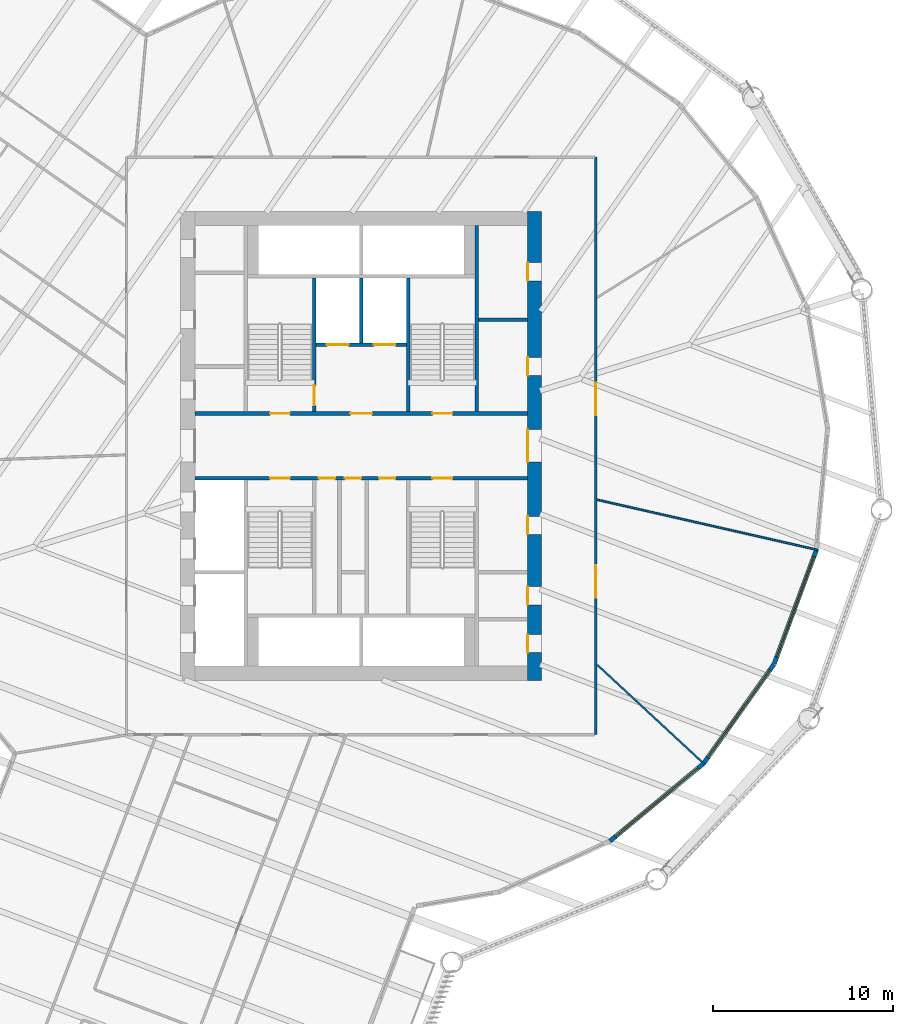
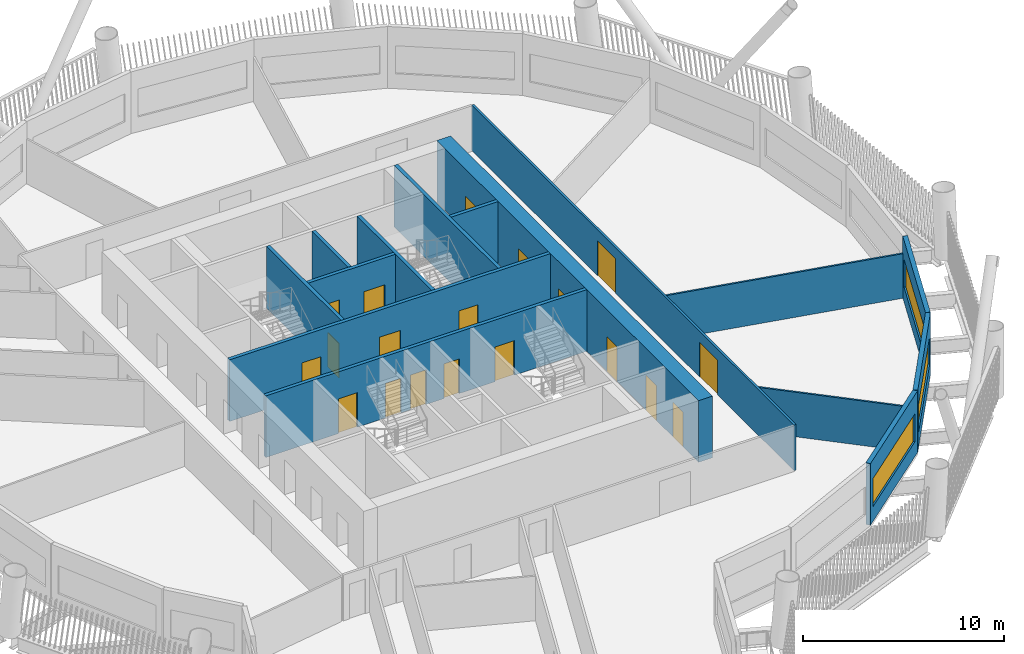
# One storey, part 5 of 23: 19 doors, 15 walls, 3 windows, 22 openings.
"""IFC4 building model written with IfcOpenShell, lengths in metres."""

from ifc_helpers import new_model, si_unit, direction, frame, frame_2d, origin, place, context, subcontext, project, spatial, rectangle, extrude, material, layer, layer_set, type_object, element, fill, save


model = new_model("IFC4")

# Units and contexts
model_context = context("Model", 3, precision=1e-05, world=origin(), true_north=direction((0.0, 1.0)))
body_context = subcontext(model_context, "Body", "Model", "MODEL_VIEW")
ifc_project = project(units=[si_unit("LENGTHUNIT", "METRE"), si_unit("AREAUNIT", "SQUARE_METRE"), si_unit("VOLUMEUNIT", "CUBIC_METRE"), si_unit("PLANEANGLEUNIT", "RADIAN"), si_unit("MASSUNIT", "GRAM", prefix="KILO")], contexts=[model_context])

# Site, building, storey
site_placement = place(None, origin())
site = spatial("IfcSite", under=ifc_project, at=site_placement, CompositionType="ELEMENT")
building_placement = place(site_placement, origin())
building = spatial("IfcBuilding", under=site, at=building_placement, Name="Tarsis Ring Headquarters", CompositionType="ELEMENT")
storey_placement = place(building_placement, frame((0.0, 0.0, 131.800048828125)))
storey = spatial("IfcBuildingStorey", under=building, at=storey_placement, Name="L30", CompositionType="ELEMENT", Elevation=131.800048828125)

# Wall
ifc_material_1 = material(Name="Blockwork", Category="masonry")
ifc_layer_1 = layer(ifc_material_1, 0.199951171875)
ifc_layer_set_1 = layer_set([ifc_layer_1], Name="Core blockwork wall 200")
wall_type_1 = type_object("IfcWallType", Name="Core blockwork wall 200", PredefinedType="PARTITIONING", material=ifc_layer_set_1)
wall_1_placement = place(storey_placement, frame((6.5, 7.0, 0.0), z_axis=(0.0, 0.0, 1.0), x_axis=(1.0, 0.0, 0.0)))
element("IfcWall", 1, at=wall_1_placement, inside=storey, type_object=wall_type_1, Name="Core partition ED6", PredefinedType="PARTITIONING", context=body_context, shape_type="SweptSolid", body=[
    extrude(rectangle(XDim=2.699951171875, YDim=0.199951171875, at=frame_2d((1.35009765625, 0.0))), origin(), (0.0, 0.0, 1.0), 3.739990234375),
])

# Wall, openings, doors
ifc_material_2 = material(Name="Concrete C60/75", Category="concrete")
ifc_layer_2 = layer(ifc_material_2, 0.800048828125)
ifc_layer_set_2 = layer_set([ifc_layer_2], Name="Core wall 800 C60/75")
wall_type_2 = type_object("IfcWallType", Name="Core wall 800 C60/75", PredefinedType="SHEAR", material=ifc_layer_set_2)
wall_2_placement = place(storey_placement, frame((9.60009765625, -13.0, 0.0), z_axis=(0.0, 0.0, 1.0), x_axis=(0.0, 1.0, 0.0)))
wall_2 = element("IfcWall", 2, at=wall_2_placement, inside=storey, type_object=wall_type_2, Name="Core wall OE", PredefinedType="SHEAR", context=body_context, shape_type="SweptSolid", body=[
    extrude(rectangle(XDim=26.0, YDim=0.800048828125, at=frame_2d((13.0, 0.0))), origin(), (0.0, 0.0, 1.0), 3.739990234375),
])
opening_1_placement = place(wall_2_placement, frame((1.550048828125, 0.0, 0.0)))
opening_1 = element("IfcOpeningElement", 3, at=opening_1_placement, cuts=wall_2, Name="Opening L30-C09", PredefinedType="OPENING", context=body_context, shape_type="SweptSolid", body=[
    extrude(rectangle(XDim=1.0, YDim=2.10009765625, at=frame_2d((0.5, 1.050048828125))), frame((0.0, 0.409912109375, 0.0), z_axis=(0.0, -1.0, 0.0), x_axis=(1.0, 0.0, 0.0)), (0.0, 0.0, 1.0), 0.820068359375),
])
opening_2_placement = place(wall_2_placement, frame((4.199951171875, 0.0, 0.0)))
opening_2 = element("IfcOpeningElement", 4, at=opening_2_placement, cuts=wall_2, Name="Opening L30-C10", PredefinedType="OPENING", context=body_context, shape_type="SweptSolid", body=[
    extrude(rectangle(XDim=1.0, YDim=2.10009765625, at=frame_2d((0.5, 1.050048828125))), frame((0.0, 0.409912109375, 0.0), z_axis=(0.0, -1.0, 0.0), x_axis=(1.0, 0.0, 0.0)), (0.0, 0.0, 1.0), 0.820068359375),
])
opening_3_placement = place(wall_2_placement, frame((8.10009765625, 0.0, 0.0)))
opening_3 = element("IfcOpeningElement", 5, at=opening_3_placement, cuts=wall_2, Name="Opening L30-C11", PredefinedType="OPENING", context=body_context, shape_type="SweptSolid", body=[
    extrude(rectangle(XDim=1.0, YDim=2.10009765625, at=frame_2d((0.5, 1.050048828125))), frame((0.0, 0.409912109375, 0.0), z_axis=(0.0, -1.0, 0.0), x_axis=(1.0, 0.0, 0.0)), (0.0, 0.0, 1.0), 0.820068359375),
])
opening_4_placement = place(wall_2_placement, frame((12.10009765625, 0.0, 0.0)))
opening_4 = element("IfcOpeningElement", 6, at=opening_4_placement, cuts=wall_2, Name="Opening L30-C12", PredefinedType="OPENING", context=body_context, shape_type="SweptSolid", body=[
    extrude(rectangle(XDim=1.800048828125, YDim=2.10009765625, at=frame_2d((0.89990234375, 1.050048828125))), frame((0.0, 0.409912109375, 0.0), z_axis=(0.0, -1.0, 0.0), x_axis=(1.0, 0.0, 0.0)), (0.0, 0.0, 1.0), 0.820068359375),
])
opening_5_placement = place(wall_2_placement, frame((16.89990234375, 0.0, 0.0)))
opening_5 = element("IfcOpeningElement", 7, at=opening_5_placement, cuts=wall_2, Name="Opening L30-C13", PredefinedType="OPENING", context=body_context, shape_type="SweptSolid", body=[
    extrude(rectangle(XDim=1.0, YDim=2.10009765625, at=frame_2d((0.5, 1.050048828125))), frame((0.0, 0.409912109375, 0.0), z_axis=(0.0, -1.0, 0.0), x_axis=(1.0, 0.0, 0.0)), (0.0, 0.0, 1.0), 0.820068359375),
])
opening_6_placement = place(wall_2_placement, frame((22.14990234375, 0.0, 0.0)))
opening_6 = element("IfcOpeningElement", 8, at=opening_6_placement, cuts=wall_2, Name="Opening L30-C14", PredefinedType="OPENING", context=body_context, shape_type="SweptSolid", body=[
    extrude(rectangle(XDim=1.0, YDim=2.10009765625, at=frame_2d((0.5, 1.050048828125))), frame((0.0, 0.409912109375, 0.0), z_axis=(0.0, -1.0, 0.0), x_axis=(1.0, 0.0, 0.0)), (0.0, 0.0, 1.0), 0.820068359375),
])
ifc_material_3 = material(Name="Steel S355", Category="steel")
door_type_1 = type_object("IfcDoorType", Name="Core entry door 1800x2100", OperationType="DOUBLE_DOOR_SINGLE_SWING", PredefinedType="DOOR", material=ifc_material_3)
door_1_placement = place(opening_4_placement, origin())
door_1 = element("IfcDoor", 9, at=door_1_placement, inside=storey, type_object=door_type_1, Name="Core entry door L30", OperationType="DOUBLE_DOOR_SINGLE_SWING", OverallHeight=2.10009765625, OverallWidth=1.800048828125, PredefinedType="DOOR", context=body_context, shape_type="SweptSolid", body=[
    extrude(rectangle(XDim=1.800048828125, YDim=2.10009765625, at=frame_2d((0.89990234375, 1.050048828125))), frame((0.0, 0.39990234375, 0.0), z_axis=(0.0, -1.0, 0.0), x_axis=(1.0, 0.0, 0.0)), (0.0, 0.0, 1.0), 0.050048828125),
])
fill(opening_4, door_1)
door_type_2 = type_object("IfcDoorType", Name="Core room door 1000x2100", OperationType="SINGLE_SWING_LEFT", PredefinedType="DOOR", material=ifc_material_3)
door_2_placement = place(opening_1_placement, origin())
door_2 = element("IfcDoor", 10, at=door_2_placement, inside=storey, type_object=door_type_2, Name="Core room door L30", OperationType="SINGLE_SWING_LEFT", OverallHeight=2.10009765625, OverallWidth=1.0, PredefinedType="DOOR", context=body_context, shape_type="SweptSolid", body=[
    extrude(rectangle(XDim=1.0, YDim=2.10009765625, at=frame_2d((0.5, 1.050048828125))), frame((0.0, 0.39990234375, 0.0), z_axis=(0.0, -1.0, 0.0), x_axis=(1.0, 0.0, 0.0)), (0.0, 0.0, 1.0), 0.050048828125),
])
fill(opening_1, door_2)
door_3_placement = place(opening_2_placement, origin())
door_3 = element("IfcDoor", 11, at=door_3_placement, inside=storey, type_object=door_type_2, Name="Core room door L30", OperationType="SINGLE_SWING_LEFT", OverallHeight=2.10009765625, OverallWidth=1.0, PredefinedType="DOOR", context=body_context, shape_type="SweptSolid", body=[
    extrude(rectangle(XDim=1.0, YDim=2.10009765625, at=frame_2d((0.5, 1.050048828125))), frame((0.0, 0.39990234375, 0.0), z_axis=(0.0, -1.0, 0.0), x_axis=(1.0, 0.0, 0.0)), (0.0, 0.0, 1.0), 0.050048828125),
])
fill(opening_2, door_3)
door_4_placement = place(opening_3_placement, origin())
door_4 = element("IfcDoor", 12, at=door_4_placement, inside=storey, type_object=door_type_2, Name="Core room door L30", OperationType="SINGLE_SWING_LEFT", OverallHeight=2.10009765625, OverallWidth=1.0, PredefinedType="DOOR", context=body_context, shape_type="SweptSolid", body=[
    extrude(rectangle(XDim=1.0, YDim=2.10009765625, at=frame_2d((0.5, 1.050048828125))), frame((0.0, 0.39990234375, 0.0), z_axis=(0.0, -1.0, 0.0), x_axis=(1.0, 0.0, 0.0)), (0.0, 0.0, 1.0), 0.050048828125),
])
fill(opening_3, door_4)
door_5_placement = place(opening_5_placement, origin())
door_5 = element("IfcDoor", 13, at=door_5_placement, inside=storey, type_object=door_type_2, Name="Core room door L30", OperationType="SINGLE_SWING_LEFT", OverallHeight=2.10009765625, OverallWidth=1.0, PredefinedType="DOOR", context=body_context, shape_type="SweptSolid", body=[
    extrude(rectangle(XDim=1.0, YDim=2.10009765625, at=frame_2d((0.5, 1.050048828125))), frame((0.0, 0.39990234375, 0.0), z_axis=(0.0, -1.0, 0.0), x_axis=(1.0, 0.0, 0.0)), (0.0, 0.0, 1.0), 0.050048828125),
])
fill(opening_5, door_5)
door_6_placement = place(opening_6_placement, origin())
door_6 = element("IfcDoor", 14, at=door_6_placement, inside=storey, type_object=door_type_2, Name="Core room door L30", OperationType="SINGLE_SWING_LEFT", OverallHeight=2.10009765625, OverallWidth=1.0, PredefinedType="DOOR", context=body_context, shape_type="SweptSolid", body=[
    extrude(rectangle(XDim=1.0, YDim=2.10009765625, at=frame_2d((0.5, 1.050048828125))), frame((0.0, 0.39990234375, 0.0), z_axis=(0.0, -1.0, 0.0), x_axis=(1.0, 0.0, 0.0)), (0.0, 0.0, 1.0), 0.050048828125),
])
fill(opening_6, door_6)

# Walls
ifc_material_4 = material(Name="Gypsum board on steel studs", Category="steel")
ifc_layer_3 = layer(ifc_material_4, 0.10009765625)
ifc_layer_set_3 = layer_set([ifc_layer_3], Name="FL partition 100 unrated")
wall_type_3 = type_object("IfcWallType", Name="FL partition 100 unrated", PredefinedType="PARTITIONING", material=ifc_layer_set_3)
wall_3_placement = place(storey_placement, frame((13.068115234375, -2.978515625, 0.0), z_axis=(0.0, 0.0, 1.0), x_axis=(0.974993487323, -0.222233435102, 0.0)))
element("IfcWall", 15, at=wall_3_placement, inside=storey, type_object=wall_type_3, Name="Partition PW3", PredefinedType="PARTITIONING", context=body_context, shape_type="SweptSolid", body=[
    extrude(rectangle(XDim=12.544677734375, YDim=0.10009765625, at=frame_2d((6.2724609375, 0.0))), origin(), (0.0, 0.0, 1.0), 2.699951171875),
])
wall_4_placement = place(storey_placement, frame((13.087890625, -12.13671875, 0.0), z_axis=(0.0, 0.0, 1.0), x_axis=(0.733267883564, -0.679939858321, 0.0)))
element("IfcWall", 16, at=wall_4_placement, inside=storey, type_object=wall_type_3, Name="Partition PW3", PredefinedType="PARTITIONING", context=body_context, shape_type="SweptSolid", body=[
    extrude(rectangle(XDim=8.0986328125, YDim=0.10009765625, at=frame_2d((4.04931640625, 0.0))), origin(), (0.0, 0.0, 1.0), 2.699951171875),
])

# Wall, openings, doors
ifc_layer_4 = layer(ifc_material_4, 0.125)
ifc_layer_set_4 = layer_set([ifc_layer_4], Name="FL partition 125 EI 60 H2770")
wall_type_4 = type_object("IfcWallType", Name="FL partition 125 EI 60 H2770", PredefinedType="PARTITIONING", material=ifc_layer_set_4)
wall_5_placement = place(storey_placement, frame((13.0, -15.998046875, 0.0), z_axis=(0.0, 0.0, 1.0), x_axis=(0.0, 1.0, 0.0)))
wall_5 = element("IfcWall", 17, at=wall_5_placement, inside=storey, type_object=wall_type_4, Name="Partition PW1", PredefinedType="PARTITIONING", context=body_context, shape_type="SweptSolid", body=[
    extrude(rectangle(XDim=31.998046875, YDim=0.125, at=frame_2d((15.9990234375, 0.0))), origin(), (0.0, 0.0, 1.0), 2.77001953125),
])
opening_7_placement = place(wall_5_placement, frame((17.703369140625, 0.0, 0.0)))
opening_7 = element("IfcOpeningElement", 18, at=opening_7_placement, cuts=wall_5, Name="Opening D30.07", PredefinedType="OPENING", context=body_context, shape_type="SweptSolid", body=[
    extrude(rectangle(XDim=1.800048828125, YDim=2.10009765625, at=frame_2d((0.89990234375, 1.050048828125))), frame((0.0, 0.072509765625, 0.0), z_axis=(0.0, -1.0, 0.0), x_axis=(1.0, 0.0, 0.0)), (0.0, 0.0, 1.0), 0.14501953125),
])
opening_8_placement = place(wall_5_placement, frame((7.589111328125, 0.0, 0.0)))
opening_8 = element("IfcOpeningElement", 19, at=opening_8_placement, cuts=wall_5, Name="Opening D30.08", PredefinedType="OPENING", context=body_context, shape_type="SweptSolid", body=[
    extrude(rectangle(XDim=1.800048828125, YDim=2.10009765625, at=frame_2d((0.89990234375, 1.050048828125))), frame((0.0, 0.072509765625, 0.0), z_axis=(0.0, -1.0, 0.0), x_axis=(1.0, 0.0, 0.0)), (0.0, 0.0, 1.0), 0.14501953125),
])
ifc_material_5 = material(Name="Fire-rated timber door leaf in steel frame", Category="steel")
door_type_3 = type_object("IfcDoorType", Name="FL door FD60-1800", OperationType="DOUBLE_DOOR_SINGLE_SWING", PredefinedType="DOOR", material=ifc_material_5)
door_7_placement = place(opening_7_placement, origin())
door_7 = element("IfcDoor", 20, at=door_7_placement, inside=storey, type_object=door_type_3, Name="Door D30.07", OperationType="DOUBLE_DOOR_SINGLE_SWING", OverallHeight=2.10009765625, OverallWidth=1.800048828125, PredefinedType="DOOR", context=body_context, shape_type="SweptSolid", body=[
    extrude(rectangle(XDim=1.800048828125, YDim=2.10009765625, at=frame_2d((0.89990234375, 1.050048828125))), frame((0.0, 0.02490234375, 0.0), z_axis=(0.0, -1.0, 0.0), x_axis=(1.0, 0.0, 0.0)), (0.0, 0.0, 1.0), 0.050048828125),
])
fill(opening_7, door_7)
door_8_placement = place(opening_8_placement, origin())
door_8 = element("IfcDoor", 21, at=door_8_placement, inside=storey, type_object=door_type_3, Name="Door D30.08", OperationType="DOUBLE_DOOR_SINGLE_SWING", OverallHeight=2.10009765625, OverallWidth=1.800048828125, PredefinedType="DOOR", context=body_context, shape_type="SweptSolid", body=[
    extrude(rectangle(XDim=1.800048828125, YDim=2.10009765625, at=frame_2d((0.89990234375, 1.050048828125))), frame((0.0, 0.02490234375, 0.0), z_axis=(0.0, -1.0, 0.0), x_axis=(1.0, 0.0, 0.0)), (0.0, 0.0, 1.0), 0.050048828125),
])
fill(opening_8, door_8)

# Wall, opening, window
ifc_material_6 = material(Name="Terracotta clad insulated panel wall", Category="masonry")
ifc_layer_5 = layer(ifc_material_6, 0.25)
ifc_layer_set_5 = layer_set([ifc_layer_5], Name="Facade wall terracotta panel 250")
wall_type_5 = type_object("IfcWallType", Name="Facade wall terracotta panel 250", PredefinedType="STANDARD", material=ifc_layer_set_5)
wall_6_placement = place(storey_placement, frame((13.784912109375, -21.8935546875, 0.0), z_axis=(0.0, 0.0, 1.0), x_axis=(0.769835437301, 0.638242430019, 0.0)))
wall_6 = element("IfcWall", 22, at=wall_6_placement, inside=storey, type_object=wall_type_5, Name="External wall L30-19", PredefinedType="STANDARD", context=body_context, shape_type="SweptSolid", body=[
    extrude(rectangle(XDim=6.7216796875, YDim=0.25, at=frame_2d((3.36083984375, 0.0))), origin(), (0.0, 0.0, 1.0), 3.739990234375),
])
opening_9_placement = place(wall_6_placement, frame((0.3857421875, 0.0, 0.89990234375)))
opening_9 = element("IfcOpeningElement", 23, at=opening_9_placement, cuts=wall_6, Name="Opening WN07", PredefinedType="OPENING", context=body_context, shape_type="SweptSolid", body=[
    extrude(rectangle(XDim=5.949951171875, YDim=1.699951171875, at=frame_2d((2.97509765625, 0.85009765625))), frame((0.0, 0.135009765625, 0.0), z_axis=(0.0, -1.0, 0.0), x_axis=(1.0, 0.0, 0.0)), (0.0, 0.0, 1.0), 0.27001953125),
])
ifc_material_7 = material(Name="Aluminium framed double glazing", Category="aluminium")
window_type = type_object("IfcWindowType", Name="Facade window 5950 x 1700", PartitioningType="SINGLE_PANEL", PredefinedType="WINDOW", material=ifc_material_7)
window_1_placement = place(opening_9_placement, origin())
window_1 = element("IfcWindow", 24, at=window_1_placement, inside=storey, type_object=window_type, Name="Window L30-19.1", OverallHeight=1.699951171875, OverallWidth=5.949951171875, PartitioningType="SINGLE_PANEL", PredefinedType="WINDOW", context=body_context, shape_type="SweptSolid", body=[
    extrude(rectangle(XDim=5.949951171875, YDim=1.699951171875, at=frame_2d((2.97509765625, 0.85009765625))), frame((0.0, 0.030029296875, 0.0), z_axis=(0.0, -1.0, 0.0), x_axis=(1.0, 0.0, 0.0)), (0.0, 0.0, 1.0), 0.06005859375),
])
fill(opening_9, window_1)

wall_7_placement = place(storey_placement, frame((18.981689453125, -17.57958984375, 0.0), z_axis=(0.0, 0.0, 1.0), x_axis=(0.578434490124, 0.815728840139, 0.0)))
wall_7 = element("IfcWall", 25, at=wall_7_placement, inside=storey, type_object=wall_type_5, Name="External wall L30-20", PredefinedType="STANDARD", context=body_context, shape_type="SweptSolid", body=[
    extrude(rectangle(XDim=6.721435546875, YDim=0.25, at=frame_2d((3.36083984375, 0.0))), origin(), (0.0, 0.0, 1.0), 3.739990234375),
])
opening_10_placement = place(wall_7_placement, frame((0.3857421875, 0.0, 0.89990234375)))
opening_10 = element("IfcOpeningElement", 26, at=opening_10_placement, cuts=wall_7, Name="Opening WN07", PredefinedType="OPENING", context=body_context, shape_type="SweptSolid", body=[
    extrude(rectangle(XDim=5.949951171875, YDim=1.699951171875, at=frame_2d((2.97509765625, 0.85009765625))), frame((0.0, 0.135009765625, 0.0), z_axis=(0.0, -1.0, 0.0), x_axis=(1.0, 0.0, 0.0)), (0.0, 0.0, 1.0), 0.27001953125),
])
window_2_placement = place(opening_10_placement, origin())
window_2 = element("IfcWindow", 27, at=window_2_placement, inside=storey, type_object=window_type, Name="Window L30-20.1", OverallHeight=1.699951171875, OverallWidth=5.949951171875, PartitioningType="SINGLE_PANEL", PredefinedType="WINDOW", context=body_context, shape_type="SweptSolid", body=[
    extrude(rectangle(XDim=5.949951171875, YDim=1.699951171875, at=frame_2d((2.97509765625, 0.85009765625))), frame((0.0, 0.030029296875, 0.0), z_axis=(0.0, -1.0, 0.0), x_axis=(1.0, 0.0, 0.0)), (0.0, 0.0, 1.0), 0.06005859375),
])
fill(opening_10, window_2)

wall_8_placement = place(storey_placement, frame((22.884765625, -12.06787109375, 0.0), z_axis=(0.0, 0.0, 1.0), x_axis=(0.347598253457, 0.937643564577, 0.0)))
wall_8 = element("IfcWall", 28, at=wall_8_placement, inside=storey, type_object=wall_type_5, Name="External wall L30-21", PredefinedType="STANDARD", context=body_context, shape_type="SweptSolid", body=[
    extrude(rectangle(XDim=6.7216796875, YDim=0.25, at=frame_2d((3.36083984375, 0.0))), origin(), (0.0, 0.0, 1.0), 3.739990234375),
])
opening_11_placement = place(wall_8_placement, frame((0.3857421875, 0.0, 0.89990234375)))
opening_11 = element("IfcOpeningElement", 29, at=opening_11_placement, cuts=wall_8, Name="Opening WN07", PredefinedType="OPENING", context=body_context, shape_type="SweptSolid", body=[
    extrude(rectangle(XDim=5.949951171875, YDim=1.699951171875, at=frame_2d((2.97509765625, 0.85009765625))), frame((0.0, 0.135009765625, 0.0), z_axis=(0.0, -1.0, 0.0), x_axis=(1.0, 0.0, 0.0)), (0.0, 0.0, 1.0), 0.27001953125),
])
window_3_placement = place(opening_11_placement, origin())
window_3 = element("IfcWindow", 30, at=window_3_placement, inside=storey, type_object=window_type, Name="Window L30-21.1", OverallHeight=1.699951171875, OverallWidth=5.949951171875, PartitioningType="SINGLE_PANEL", PredefinedType="WINDOW", context=body_context, shape_type="SweptSolid", body=[
    extrude(rectangle(XDim=5.949951171875, YDim=1.699951171875, at=frame_2d((2.97509765625, 0.85009765625))), frame((0.0, 0.030029296875, 0.0), z_axis=(0.0, -1.0, 0.0), x_axis=(1.0, 0.0, 0.0)), (0.0, 0.0, 1.0), 0.06005859375),
])
fill(opening_11, window_3)

# Wall, openings, doors
ifc_material_8 = material(Name="Concrete C32/40", Category="concrete")
ifc_layer_6 = layer(ifc_material_8, 0.199951171875)
ifc_layer_set_6 = layer_set([ifc_layer_6], Name="Shaft wall 200 C32/40")
wall_type_6 = type_object("IfcWallType", Name="Shaft wall 200 C32/40", PredefinedType="SOLIDWALL", material=ifc_layer_set_6)
wall_9_placement = place(storey_placement, frame((-9.199951171875, 1.800048828125, 0.0), z_axis=(0.0, 0.0, 1.0), x_axis=(1.0, 0.0, 0.0)))
wall_9 = element("IfcWall", 31, at=wall_9_placement, inside=storey, type_object=wall_type_6, Name="Core shaft wall CN", PredefinedType="SOLIDWALL", context=body_context, shape_type="SweptSolid", body=[
    extrude(rectangle(XDim=18.39990234375, YDim=0.199951171875, at=frame_2d((9.199951171875, 0.0))), origin(), (0.0, 0.0, 1.0), 3.739990234375),
])
opening_12_placement = place(wall_9_placement, frame((4.14990234375, 0.0, 0.0)))
opening_12 = element("IfcOpeningElement", 32, at=opening_12_placement, cuts=wall_9, Name="Opening L30-C15", PredefinedType="OPENING", context=body_context, shape_type="SweptSolid", body=[
    extrude(rectangle(XDim=1.10009765625, YDim=2.10009765625, at=frame_2d((0.550048828125, 1.050048828125))), frame((0.0, 0.10986328125, 0.0), z_axis=(0.0, -1.0, 0.0), x_axis=(1.0, 0.0, 0.0)), (0.0, 0.0, 1.0), 0.219970703125),
])
opening_13_placement = place(wall_9_placement, frame((8.60009765625, 0.0, 0.0)))
opening_13 = element("IfcOpeningElement", 33, at=opening_13_placement, cuts=wall_9, Name="Opening L30-C16", PredefinedType="OPENING", context=body_context, shape_type="SweptSolid", body=[
    extrude(rectangle(XDim=1.199951171875, YDim=2.10009765625, at=frame_2d((0.60009765625, 1.050048828125))), frame((0.0, 0.10986328125, 0.0), z_axis=(0.0, -1.0, 0.0), x_axis=(1.0, 0.0, 0.0)), (0.0, 0.0, 1.0), 0.219970703125),
])
opening_14_placement = place(wall_9_placement, frame((13.14990234375, 0.0, 0.0)))
opening_14 = element("IfcOpeningElement", 34, at=opening_14_placement, cuts=wall_9, Name="Opening L30-C17", PredefinedType="OPENING", context=body_context, shape_type="SweptSolid", body=[
    extrude(rectangle(XDim=1.10009765625, YDim=2.10009765625, at=frame_2d((0.550048828125, 1.050048828125))), frame((0.0, 0.10986328125, 0.0), z_axis=(0.0, -1.0, 0.0), x_axis=(1.0, 0.0, 0.0)), (0.0, 0.0, 1.0), 0.219970703125),
])
door_type_4 = type_object("IfcDoorType", Name="Firefighting lobby door 1200x2100", OperationType="DOUBLE_DOOR_SINGLE_SWING", PredefinedType="DOOR", material=ifc_material_3)
door_9_placement = place(opening_13_placement, origin())
door_9 = element("IfcDoor", 35, at=door_9_placement, inside=storey, type_object=door_type_4, Name="Firefighting lobby door L30", OperationType="DOUBLE_DOOR_SINGLE_SWING", OverallHeight=2.10009765625, OverallWidth=1.199951171875, PredefinedType="DOOR", context=body_context, shape_type="SweptSolid", body=[
    extrude(rectangle(XDim=1.199951171875, YDim=2.10009765625, at=frame_2d((0.60009765625, 1.050048828125))), frame((0.0, 0.02490234375, 0.0), z_axis=(0.0, -1.0, 0.0), x_axis=(1.0, 0.0, 0.0)), (0.0, 0.0, 1.0), 0.050048828125),
])
fill(opening_13, door_9)
door_type_5 = type_object("IfcDoorType", Name="Stair door 1100x2100", OperationType="SINGLE_SWING_LEFT", PredefinedType="DOOR", material=ifc_material_3)
door_10_placement = place(opening_12_placement, origin())
door_10 = element("IfcDoor", 36, at=door_10_placement, inside=storey, type_object=door_type_5, Name="Stair door L30", OperationType="SINGLE_SWING_LEFT", OverallHeight=2.10009765625, OverallWidth=1.10009765625, PredefinedType="DOOR", context=body_context, shape_type="SweptSolid", body=[
    extrude(rectangle(XDim=1.10009765625, YDim=2.10009765625, at=frame_2d((0.550048828125, 1.050048828125))), frame((0.0, 0.02490234375, 0.0), z_axis=(0.0, -1.0, 0.0), x_axis=(1.0, 0.0, 0.0)), (0.0, 0.0, 1.0), 0.050048828125),
])
fill(opening_12, door_10)
door_11_placement = place(opening_14_placement, origin())
door_11 = element("IfcDoor", 37, at=door_11_placement, inside=storey, type_object=door_type_5, Name="Stair door L30", OperationType="SINGLE_SWING_LEFT", OverallHeight=2.10009765625, OverallWidth=1.10009765625, PredefinedType="DOOR", context=body_context, shape_type="SweptSolid", body=[
    extrude(rectangle(XDim=1.10009765625, YDim=2.10009765625, at=frame_2d((0.550048828125, 1.050048828125))), frame((0.0, 0.02490234375, 0.0), z_axis=(0.0, -1.0, 0.0), x_axis=(1.0, 0.0, 0.0)), (0.0, 0.0, 1.0), 0.050048828125),
])
fill(opening_14, door_11)

wall_10_placement = place(storey_placement, frame((-9.199951171875, -1.800048828125, 0.0), z_axis=(0.0, 0.0, 1.0), x_axis=(1.0, 0.0, 0.0)))
wall_10 = element("IfcWall", 38, at=wall_10_placement, inside=storey, type_object=wall_type_6, Name="Core shaft wall CS", PredefinedType="SOLIDWALL", context=body_context, shape_type="SweptSolid", body=[
    extrude(rectangle(XDim=18.39990234375, YDim=0.199951171875, at=frame_2d((9.199951171875, 0.0))), origin(), (0.0, 0.0, 1.0), 3.739990234375),
])
opening_15_placement = place(wall_10_placement, frame((4.14990234375, 0.0, 0.0)))
opening_15 = element("IfcOpeningElement", 39, at=opening_15_placement, cuts=wall_10, Name="Opening L30-C18", PredefinedType="OPENING", context=body_context, shape_type="SweptSolid", body=[
    extrude(rectangle(XDim=1.10009765625, YDim=2.10009765625, at=frame_2d((0.550048828125, 1.050048828125))), frame((0.0, 0.10986328125, 0.0), z_axis=(0.0, -1.0, 0.0), x_axis=(1.0, 0.0, 0.0)), (0.0, 0.0, 1.0), 0.219970703125),
])
opening_16_placement = place(wall_10_placement, frame((6.85009765625, 0.0, 0.0)))
opening_16 = element("IfcOpeningElement", 40, at=opening_16_placement, cuts=wall_10, Name="Opening L30-C19", PredefinedType="OPENING", context=body_context, shape_type="SweptSolid", body=[
    extrude(rectangle(XDim=0.89990234375, YDim=2.10009765625, at=frame_2d((0.449951171875, 1.050048828125))), frame((0.0, 0.10986328125, 0.0), z_axis=(0.0, -1.0, 0.0), x_axis=(1.0, 0.0, 0.0)), (0.0, 0.0, 1.0), 0.219970703125),
])
opening_17_placement = place(wall_10_placement, frame((8.300048828125, 0.0, 0.0)))
opening_17 = element("IfcOpeningElement", 41, at=opening_17_placement, cuts=wall_10, Name="Opening L30-C20", PredefinedType="OPENING", context=body_context, shape_type="SweptSolid", body=[
    extrude(rectangle(XDim=0.89990234375, YDim=2.10009765625, at=frame_2d((0.449951171875, 1.050048828125))), frame((0.0, 0.10986328125, 0.0), z_axis=(0.0, -1.0, 0.0), x_axis=(1.0, 0.0, 0.0)), (0.0, 0.0, 1.0), 0.219970703125),
])
opening_18_placement = place(wall_10_placement, frame((10.199951171875, 0.0, 0.0)))
opening_18 = element("IfcOpeningElement", 42, at=opening_18_placement, cuts=wall_10, Name="Opening L30-C21", PredefinedType="OPENING", context=body_context, shape_type="SweptSolid", body=[
    extrude(rectangle(XDim=0.89990234375, YDim=2.10009765625, at=frame_2d((0.449951171875, 1.050048828125))), frame((0.0, 0.10986328125, 0.0), z_axis=(0.0, -1.0, 0.0), x_axis=(1.0, 0.0, 0.0)), (0.0, 0.0, 1.0), 0.219970703125),
])
opening_19_placement = place(wall_10_placement, frame((13.14990234375, 0.0, 0.0)))
opening_19 = element("IfcOpeningElement", 43, at=opening_19_placement, cuts=wall_10, Name="Opening L30-C22", PredefinedType="OPENING", context=body_context, shape_type="SweptSolid", body=[
    extrude(rectangle(XDim=1.10009765625, YDim=2.10009765625, at=frame_2d((0.550048828125, 1.050048828125))), frame((0.0, 0.10986328125, 0.0), z_axis=(0.0, -1.0, 0.0), x_axis=(1.0, 0.0, 0.0)), (0.0, 0.0, 1.0), 0.219970703125),
])
door_12_placement = place(opening_15_placement, origin())
door_12 = element("IfcDoor", 44, at=door_12_placement, inside=storey, type_object=door_type_5, Name="Stair door L30", OperationType="SINGLE_SWING_LEFT", OverallHeight=2.10009765625, OverallWidth=1.10009765625, PredefinedType="DOOR", context=body_context, shape_type="SweptSolid", body=[
    extrude(rectangle(XDim=1.10009765625, YDim=2.10009765625, at=frame_2d((0.550048828125, 1.050048828125))), frame((0.0, 0.02490234375, 0.0), z_axis=(0.0, -1.0, 0.0), x_axis=(1.0, 0.0, 0.0)), (0.0, 0.0, 1.0), 0.050048828125),
])
fill(opening_15, door_12)
door_13_placement = place(opening_19_placement, origin())
door_13 = element("IfcDoor", 45, at=door_13_placement, inside=storey, type_object=door_type_5, Name="Stair door L30", OperationType="SINGLE_SWING_LEFT", OverallHeight=2.10009765625, OverallWidth=1.10009765625, PredefinedType="DOOR", context=body_context, shape_type="SweptSolid", body=[
    extrude(rectangle(XDim=1.10009765625, YDim=2.10009765625, at=frame_2d((0.550048828125, 1.050048828125))), frame((0.0, 0.02490234375, 0.0), z_axis=(0.0, -1.0, 0.0), x_axis=(1.0, 0.0, 0.0)), (0.0, 0.0, 1.0), 0.050048828125),
])
fill(opening_19, door_13)
door_type_6 = type_object("IfcDoorType", Name="WC door 900x2100", OperationType="SINGLE_SWING_LEFT", PredefinedType="DOOR", material=ifc_material_3)
door_14_placement = place(opening_16_placement, origin())
door_14 = element("IfcDoor", 46, at=door_14_placement, inside=storey, type_object=door_type_6, Name="WC door L30", OperationType="SINGLE_SWING_LEFT", OverallHeight=2.10009765625, OverallWidth=0.89990234375, PredefinedType="DOOR", context=body_context, shape_type="SweptSolid", body=[
    extrude(rectangle(XDim=0.89990234375, YDim=2.10009765625, at=frame_2d((0.449951171875, 1.050048828125))), frame((0.0, 0.02490234375, 0.0), z_axis=(0.0, -1.0, 0.0), x_axis=(1.0, 0.0, 0.0)), (0.0, 0.0, 1.0), 0.050048828125),
])
fill(opening_16, door_14)
door_15_placement = place(opening_17_placement, origin())
door_15 = element("IfcDoor", 47, at=door_15_placement, inside=storey, type_object=door_type_6, Name="WC door L30", OperationType="SINGLE_SWING_LEFT", OverallHeight=2.10009765625, OverallWidth=0.89990234375, PredefinedType="DOOR", context=body_context, shape_type="SweptSolid", body=[
    extrude(rectangle(XDim=0.89990234375, YDim=2.10009765625, at=frame_2d((0.449951171875, 1.050048828125))), frame((0.0, 0.02490234375, 0.0), z_axis=(0.0, -1.0, 0.0), x_axis=(1.0, 0.0, 0.0)), (0.0, 0.0, 1.0), 0.050048828125),
])
fill(opening_17, door_15)
door_16_placement = place(opening_18_placement, origin())
door_16 = element("IfcDoor", 48, at=door_16_placement, inside=storey, type_object=door_type_6, Name="WC door L30", OperationType="SINGLE_SWING_LEFT", OverallHeight=2.10009765625, OverallWidth=0.89990234375, PredefinedType="DOOR", context=body_context, shape_type="SweptSolid", body=[
    extrude(rectangle(XDim=0.89990234375, YDim=2.10009765625, at=frame_2d((0.449951171875, 1.050048828125))), frame((0.0, 0.02490234375, 0.0), z_axis=(0.0, -1.0, 0.0), x_axis=(1.0, 0.0, 0.0)), (0.0, 0.0, 1.0), 0.050048828125),
])
fill(opening_18, door_16)

# Wall
wall_11_placement = place(storey_placement, frame((6.39990234375, 1.89990234375, 0.0), z_axis=(0.0, 0.0, 1.0), x_axis=(0.0, 1.0, 0.0)))
element("IfcWall", 49, at=wall_11_placement, inside=storey, type_object=wall_type_6, Name="Core shaft wall EB2", PredefinedType="SOLIDWALL", context=body_context, shape_type="SweptSolid", body=[
    extrude(rectangle(XDim=10.300048828125, YDim=0.199951171875, at=frame_2d((5.14990234375, 0.0))), origin(), (0.0, 0.0, 1.0), 3.739990234375),
])

# Wall, opening, door
wall_12_placement = place(storey_placement, frame((-2.60009765625, 1.89990234375, 0.0), z_axis=(0.0, 0.0, 1.0), x_axis=(0.0, 1.0, 0.0)))
wall_12 = element("IfcWall", 50, at=wall_12_placement, inside=storey, type_object=wall_type_6, Name="Core shaft wall SW1", PredefinedType="SOLIDWALL", context=body_context, shape_type="SweptSolid", body=[
    extrude(rectangle(XDim=7.400146484375, YDim=0.199951171875, at=frame_2d((3.7001953125, 0.0))), origin(), (0.0, 0.0, 1.0), 3.739990234375),
])
opening_20_placement = place(wall_12_placement, frame((0.35009765625, 0.0, 0.0)))
opening_20 = element("IfcOpeningElement", 51, at=opening_20_placement, cuts=wall_12, Name="Opening L30-C23", PredefinedType="OPENING", context=body_context, shape_type="SweptSolid", body=[
    extrude(rectangle(XDim=1.10009765625, YDim=2.10009765625, at=frame_2d((0.550048828125, 1.050048828125))), frame((0.0, 0.10986328125, 0.0), z_axis=(0.0, -1.0, 0.0), x_axis=(1.0, 0.0, 0.0)), (0.0, 0.0, 1.0), 0.219970703125),
])
door_17_placement = place(opening_20_placement, origin())
door_17 = element("IfcDoor", 52, at=door_17_placement, inside=storey, type_object=door_type_5, Name="Stair door L30", OperationType="SINGLE_SWING_LEFT", OverallHeight=2.10009765625, OverallWidth=1.10009765625, PredefinedType="DOOR", context=body_context, shape_type="SweptSolid", body=[
    extrude(rectangle(XDim=1.10009765625, YDim=2.10009765625, at=frame_2d((0.550048828125, 1.050048828125))), frame((0.0, 0.02490234375, 0.0), z_axis=(0.0, -1.0, 0.0), x_axis=(1.0, 0.0, 0.0)), (0.0, 0.0, 1.0), 0.050048828125),
])
fill(opening_20, door_17)

# Wall
wall_13_placement = place(storey_placement, frame((2.60009765625, 1.89990234375, 0.0), z_axis=(0.0, 0.0, 1.0), x_axis=(0.0, 1.0, 0.0)))
element("IfcWall", 53, at=wall_13_placement, inside=storey, type_object=wall_type_6, Name="Core shaft wall SW2", PredefinedType="SOLIDWALL", context=body_context, shape_type="SweptSolid", body=[
    extrude(rectangle(XDim=7.400146484375, YDim=0.199951171875, at=frame_2d((3.7001953125, 0.0))), origin(), (0.0, 0.0, 1.0), 3.739990234375),
])

# Wall, openings, doors
wall_14_placement = place(storey_placement, frame((-2.5, 5.60009765625, 0.0), z_axis=(0.0, 0.0, 1.0), x_axis=(1.0, 0.0, 0.0)))
wall_14 = element("IfcWall", 54, at=wall_14_placement, inside=storey, type_object=wall_type_6, Name="Core shaft wall FFN", PredefinedType="SOLIDWALL", context=body_context, shape_type="SweptSolid", body=[
    extrude(rectangle(XDim=5.0, YDim=0.199951171875, at=frame_2d((2.5, 0.0))), origin(), (0.0, 0.0, 1.0), 3.739990234375),
])
opening_21_placement = place(wall_14_placement, frame((0.60009765625, 0.0, 0.0)))
opening_21 = element("IfcOpeningElement", 55, at=opening_21_placement, cuts=wall_14, Name="Opening LDF-1", PredefinedType="OPENING", context=body_context, shape_type="SweptSolid", body=[
    extrude(rectangle(XDim=1.199951171875, YDim=2.10009765625, at=frame_2d((0.60009765625, 1.050048828125))), frame((0.0, 0.10986328125, 0.0), z_axis=(0.0, -1.0, 0.0), x_axis=(1.0, 0.0, 0.0)), (0.0, 0.0, 1.0), 0.219970703125),
])
opening_22_placement = place(wall_14_placement, frame((3.199951171875, 0.0, 0.0)))
opening_22 = element("IfcOpeningElement", 56, at=opening_22_placement, cuts=wall_14, Name="Opening LDF-2", PredefinedType="OPENING", context=body_context, shape_type="SweptSolid", body=[
    extrude(rectangle(XDim=1.199951171875, YDim=2.10009765625, at=frame_2d((0.60009765625, 1.050048828125))), frame((0.0, 0.10986328125, 0.0), z_axis=(0.0, -1.0, 0.0), x_axis=(1.0, 0.0, 0.0)), (0.0, 0.0, 1.0), 0.219970703125),
])
door_type_7 = type_object("IfcDoorType", Name="Firefighting landing door 1200x2100", OperationType="SLIDING_TO_LEFT", PredefinedType="DOOR", material=ifc_material_3)
door_18_placement = place(opening_21_placement, origin())
door_18 = element("IfcDoor", 57, at=door_18_placement, inside=storey, type_object=door_type_7, Name="Landing door FF1 L30", OperationType="SLIDING_TO_LEFT", OverallHeight=2.10009765625, OverallWidth=1.199951171875, PredefinedType="DOOR", context=body_context, shape_type="SweptSolid", body=[
    extrude(rectangle(XDim=1.199951171875, YDim=2.10009765625, at=frame_2d((0.60009765625, 1.050048828125))), frame((0.0, 0.02490234375, 0.0), z_axis=(0.0, -1.0, 0.0), x_axis=(1.0, 0.0, 0.0)), (0.0, 0.0, 1.0), 0.050048828125),
])
fill(opening_21, door_18)
door_19_placement = place(opening_22_placement, origin())
door_19 = element("IfcDoor", 58, at=door_19_placement, inside=storey, type_object=door_type_7, Name="Landing door FF2 L30", OperationType="SLIDING_TO_LEFT", OverallHeight=2.10009765625, OverallWidth=1.199951171875, PredefinedType="DOOR", context=body_context, shape_type="SweptSolid", body=[
    extrude(rectangle(XDim=1.199951171875, YDim=2.10009765625, at=frame_2d((0.60009765625, 1.050048828125))), frame((0.0, 0.02490234375, 0.0), z_axis=(0.0, -1.0, 0.0), x_axis=(1.0, 0.0, 0.0)), (0.0, 0.0, 1.0), 0.050048828125),
])
fill(opening_22, door_19)

# Wall
wall_15_placement = place(storey_placement, frame((0.0, 5.699951171875, 0.0), z_axis=(0.0, 0.0, 1.0), x_axis=(0.0, 1.0, 0.0)))
element("IfcWall", 59, at=wall_15_placement, inside=storey, type_object=wall_type_6, Name="Core shaft wall FFD", PredefinedType="SOLIDWALL", context=body_context, shape_type="SweptSolid", body=[
    extrude(rectangle(XDim=3.60009765625, YDim=0.199951171875, at=frame_2d((1.800048828125, 0.0))), origin(), (0.0, 0.0, 1.0), 3.739990234375),
])

save(model, "model.ifc")
